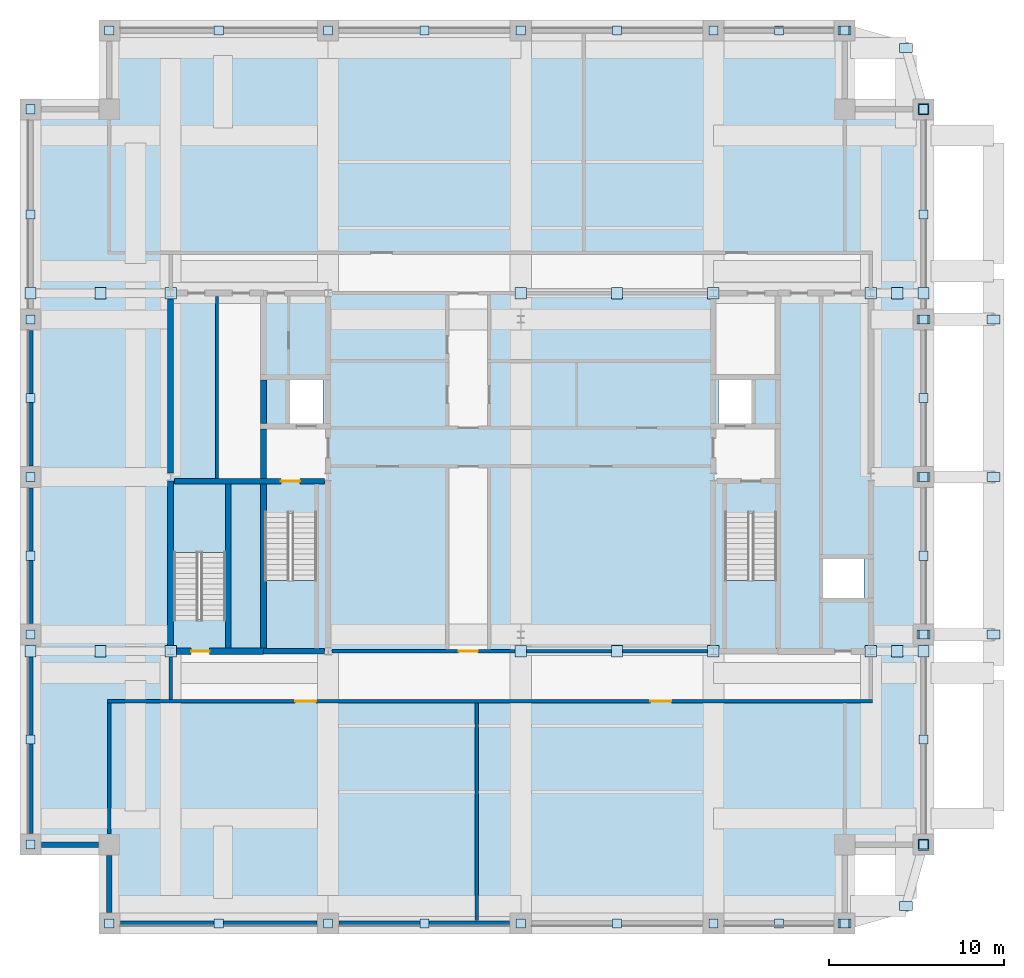
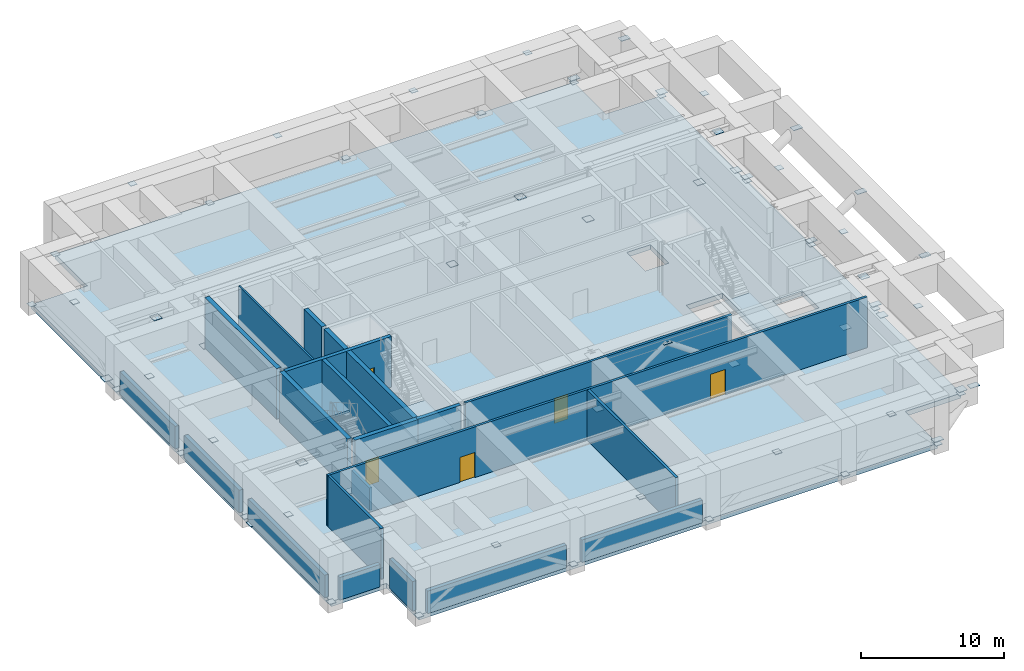
# One storey, part 3 of 10: 66 plates, 22 walls, 5 doors, 4 slabs, 5 openings, 3 elements without a shape of their own.
"""IFC4 building model written with IfcOpenShell, lengths in metres."""

from ifc_helpers import new_model, si_unit, direction, frame, frame_2d, origin, origin_2d, place, context, subcontext, project, spatial, polyline, rectangle, outline, extrude, material, layer, layer_set, type_object, element, fill, aggregate, save


model = new_model("IFC4")

# Units and contexts
model_context = context("Model", 3, precision=1e-05, world=origin(), true_north=direction((0.0, 1.0)))
body_context = subcontext(model_context, "Body", "Model", "MODEL_VIEW")
ifc_project = project(units=[si_unit("LENGTHUNIT", "METRE"), si_unit("AREAUNIT", "SQUARE_METRE"), si_unit("VOLUMEUNIT", "CUBIC_METRE"), si_unit("PLANEANGLEUNIT", "RADIAN"), si_unit("MASSUNIT", "GRAM", prefix="KILO")], contexts=[model_context])

# Site, building, storey
site_placement = place(None, origin())
site = spatial("IfcSite", under=ifc_project, at=site_placement, CompositionType="ELEMENT")
building_placement = place(site_placement, origin())
building = spatial("IfcBuilding", under=site, at=building_placement, Name="Zulmaris Gate Convention Tower", CompositionType="ELEMENT")
storey_placement = place(building_placement, frame((0.0, 0.0, 153.47998046875)))
storey = spatial("IfcBuildingStorey", under=building, at=storey_placement, Name="L39", CompositionType="ELEMENT", Elevation=153.47998046875)

# Plates
ifc_material_1 = material(Name="Steel S460", Category="steel")
ifc_layer_1 = layer(ifc_material_1, 0.030029296875, Name="Steel S460")
ifc_layer_set_1 = layer_set([ifc_layer_1], Name="Steel S460")
plate_type_1 = type_object("IfcPlateType", Name="NP-CAP-520", PredefinedType="USERDEFINED", material=ifc_layer_set_1)
for number, where, z_axis, x_axis, name in (
    (1, (-23.5, -25.5, -0.01513671875), (0.0, 0.0, 1.0), (1.0, 0.0, 0.0), "L39 Steel Node Plate BELT-L39-01-1-FP"),
    (2, (-17.25, -25.5, 3.81982421875), (0.0, 0.0, 1.0), (1.0, 0.0, 0.0), "L39 Steel Node Plate BELT-L39-01-1-FPB"),
    (3, (-11.0, -25.5, -0.01513671875), (0.0, 0.0, 1.0), (1.0, 0.0, 0.0), "L39 Steel Node Plate BELT-L39-01-2-FPB"),
    (4, (-5.5, -25.5, 3.81982421875), (0.0, 0.0, 1.0), (1.0, 0.0, 0.0), "L39 Steel Node Plate BELT-L39-02-1-FPB"),
    (5, (0.0, -25.5, -0.01513671875), (0.0, 0.0, 1.0), (1.0, 0.0, 0.0), "L39 Steel Node Plate BELT-L39-02-2-FPB"),
    (6, (5.5, -25.5, 3.81982421875), (0.0, 0.0, 1.0), (1.0, 0.0, 0.0), "L39 Steel Node Plate BELT-L39-03-1-FPB"),
    (7, (11.0, -25.5, -0.01513671875), (0.0, 0.0, 1.0), (1.0, 0.0, 0.0), "L39 Steel Node Plate BELT-L39-03-2-FPB"),
    (8, (14.75, -25.5, 3.81982421875), (0.0, 0.0, 1.0), (1.0, 0.0, 0.0), "L39 Steel Node Plate BELT-L39-04-1-FPB"),
    (9, (18.5, -25.5, -0.01513671875), (0.0, 0.0, 1.0), (1.0, 0.0, 0.0), "L39 Steel Node Plate BELT-L39-04-2-FPB"),
    (10, (-23.5, 25.5, -0.01513671875), (0.0, 0.0, 1.0), (1.0, 0.0, 0.0), "L39 Steel Node Plate BELT-L39-05-1-FP"),
    (11, (-17.25, 25.5, 3.81982421875), (0.0, 0.0, 1.0), (1.0, 0.0, 0.0), "L39 Steel Node Plate BELT-L39-05-1-FPB"),
    (12, (-11.0, 25.5, -0.01513671875), (0.0, 0.0, 1.0), (1.0, 0.0, 0.0), "L39 Steel Node Plate BELT-L39-05-2-FPB"),
    (13, (-5.5, 25.5, 3.81982421875), (0.0, 0.0, 1.0), (1.0, 0.0, 0.0), "L39 Steel Node Plate BELT-L39-06-1-FPB"),
    (14, (0.0, 25.5, -0.01513671875), (0.0, 0.0, 1.0), (1.0, 0.0, 0.0), "L39 Steel Node Plate BELT-L39-06-2-FPB"),
    (15, (5.5, 25.5, 3.81982421875), (0.0, 0.0, 1.0), (1.0, 0.0, 0.0), "L39 Steel Node Plate BELT-L39-07-1-FPB"),
    (16, (11.0, 25.5, -0.01513671875), (0.0, 0.0, 1.0), (1.0, 0.0, 0.0), "L39 Steel Node Plate BELT-L39-07-2-FPB"),
    (17, (14.75, 25.5, 3.81982421875), (0.0, 0.0, 1.0), (1.0, 0.0, 0.0), "L39 Steel Node Plate BELT-L39-08-1-FPB"),
    (18, (18.5, 25.5, -0.01513671875), (0.0, 0.0, 1.0), (1.0, 0.0, 0.0), "L39 Steel Node Plate BELT-L39-08-2-FPB"),
    (19, (-28.0, -21.0, -0.01513671875), (0.0, 0.0, 1.0), (1.0, 0.0, 0.0), "L39 Steel Node Plate BELT-L39-09-1-FP"),
    (20, (-28.0, -15.0, 3.81982421875), (0.0, 0.0, 1.0), (1.0, 0.0, 0.0), "L39 Steel Node Plate BELT-L39-09-1-FPB"),
    (21, (-28.0, -9.0, -0.01513671875), (0.0, 0.0, 1.0), (1.0, 0.0, 0.0), "L39 Steel Node Plate BELT-L39-09-2-FPB"),
    (22, (-28.0, -4.5, 3.81982421875), (0.0, 0.0, 1.0), (1.0, 0.0, 0.0), "L39 Steel Node Plate BELT-L39-10-1-FPB"),
    (23, (-28.0, 0.0, -0.01513671875), (0.0, 0.0, 1.0), (1.0, 0.0, 0.0), "L39 Steel Node Plate BELT-L39-10-2-FPB"),
    (24, (-28.0, 4.5, 3.81982421875), (0.0, 0.0, 1.0), (1.0, 0.0, 0.0), "L39 Steel Node Plate BELT-L39-11-1-FPB"),
    (25, (-28.0, 9.0, -0.01513671875), (0.0, 0.0, 1.0), (1.0, 0.0, 0.0), "L39 Steel Node Plate BELT-L39-11-2-FPB"),
    (26, (-28.0, 15.0, 3.81982421875), (0.0, 0.0, 1.0), (1.0, 0.0, 0.0), "L39 Steel Node Plate BELT-L39-12-1-FPB"),
    (27, (-28.0, 21.0, -0.01513671875), (0.0, 0.0, 1.0), (1.0, 0.0, 0.0), "L39 Steel Node Plate BELT-L39-12-2-FPB"),
    (28, (23.0, -21.0, -0.01513671875), (0.0, 0.0, 1.0), (1.0, 0.0, 0.0), "L39 Steel Node Plate BELT-L39-13-1-FP"),
    (29, (23.0, -15.0, 3.81982421875), (0.0, 0.0, 1.0), (1.0, 0.0, 0.0), "L39 Steel Node Plate BELT-L39-13-1-FPB"),
    (30, (23.0, -9.0, -0.01513671875), (0.0, 0.0, 1.0), (1.0, 0.0, 0.0), "L39 Steel Node Plate BELT-L39-13-2-FPB"),
    (31, (23.0, -4.5, 3.81982421875), (0.0, 0.0, 1.0), (1.0, 0.0, 0.0), "L39 Steel Node Plate BELT-L39-14-1-FPB"),
    (32, (23.0, 0.0, -0.01513671875), (0.0, 0.0, 1.0), (1.0, 0.0, 0.0), "L39 Steel Node Plate BELT-L39-14-2-FPB"),
    (33, (23.0, 4.5, 3.81982421875), (0.0, 0.0, 1.0), (1.0, 0.0, 0.0), "L39 Steel Node Plate BELT-L39-15-1-FPB"),
    (34, (23.0, 9.0, -0.01513671875), (0.0, 0.0, 1.0), (1.0, 0.0, 0.0), "L39 Steel Node Plate BELT-L39-15-2-FPB"),
    (35, (23.0, 15.0, 3.81982421875), (0.0, 0.0, 1.0), (1.0, 0.0, 0.0), "L39 Steel Node Plate BELT-L39-16-1-FPB"),
    (36, (23.0, 21.0, -0.01513671875), (0.0, 0.0, 1.0), (1.0, 0.0, 0.0), "L39 Steel Node Plate BELT-L39-16-2-FPB"),
):
    element("IfcPlate", number, at=place(storey_placement, frame(where, z_axis=z_axis, x_axis=x_axis)), inside=storey, type_object=plate_type_1, Name=name, ObjectType="FLANGE PLATE", PredefinedType="USERDEFINED", context=body_context, shape_type="SweptSolid", body=[
        extrude(rectangle(XDim=0.52001953125, YDim=0.52001953125, at=origin_2d()), origin(), (0.0, 0.0, 1.0), 0.030029296875),
    ])
ifc_layer_2 = layer(ifc_material_1, 0.034912109375, Name="Steel S460")
ifc_layer_set_2 = layer_set([ifc_layer_2], Name="Steel S460")
plate_type_2 = type_object("IfcPlateType", Name="NP-GUS-650", PredefinedType="USERDEFINED", material=ifc_layer_set_2)
for number, where, z_axis, x_axis, name in (
    (37, (23.0, -21.0, 0.33251953125), (0.0, 0.0, 1.0), (1.0, 0.0, 0.0), "L39 Steel Node Plate RKR2-L39-EC--24.5-P0"),
    (38, (23.0, 21.0, 0.33251953125), (0.0, 0.0, 1.0), (1.0, 0.0, 0.0), "L39 Steel Node Plate RKR2-L39-EC-+24.5-P0"),
    (39, (-28.0, -9.949951171875, -0.017578125), (0.0, 0.0, 1.0), (1.0, 0.0, 0.0), "L39 Steel Node Plate OT-L39-DG--9.9--28-A-GP0"),
    (40, (-24.0, -9.949951171875, 3.8173828125), (0.0, 0.0, 1.0), (1.0, 0.0, 0.0), "L39 Steel Node Plate OT-L39-DG--9.9--28-A-GP1"),
    (41, (-20.0, -9.949951171875, -0.017578125), (0.0, 0.0, 1.0), (1.0, 0.0, 0.0), "L39 Steel Node Plate OT-L39-DG--9.9--28-B-GP1"),
    (42, (20.0, -9.949951171875, -0.017578125), (0.0, 0.0, 1.0), (1.0, 0.0, 0.0), "L39 Steel Node Plate OT-L39-DG--9.9-+20-A-GP0"),
    (43, (21.5, -9.949951171875, 3.8173828125), (0.0, 0.0, 1.0), (1.0, 0.0, 0.0), "L39 Steel Node Plate OT-L39-DG--9.9-+20-A-GP1"),
    (44, (23.0, -9.949951171875, -0.017578125), (0.0, 0.0, 1.0), (1.0, 0.0, 0.0), "L39 Steel Node Plate OT-L39-DG--9.9-+20-B-GP1"),
    (45, (0.0, -9.949951171875, -0.017578125), (0.0, 0.0, 1.0), (1.0, 0.0, 0.0), "L39 Steel Node Plate OT-L39-DG--9.9-+0-A-GP0"),
    (46, (5.5, -9.949951171875, 3.8173828125), (0.0, 0.0, 1.0), (1.0, 0.0, 0.0), "L39 Steel Node Plate OT-L39-DG--9.9-+0-A-GP1"),
    (47, (11.0, -9.949951171875, -0.017578125), (0.0, 0.0, 1.0), (1.0, 0.0, 0.0), "L39 Steel Node Plate OT-L39-DG--9.9-+0-B-GP1"),
    (48, (-28.0, 10.5, -0.017578125), (0.0, 0.0, 1.0), (1.0, 0.0, 0.0), "L39 Steel Node Plate OT-L39-DG-+10.5--28-A-GP0"),
    (49, (-24.0, 10.5, 3.8173828125), (0.0, 0.0, 1.0), (1.0, 0.0, 0.0), "L39 Steel Node Plate OT-L39-DG-+10.5--28-A-GP1"),
    (50, (-20.0, 10.5, -0.017578125), (0.0, 0.0, 1.0), (1.0, 0.0, 0.0), "L39 Steel Node Plate OT-L39-DG-+10.5--28-B-GP1"),
    (51, (20.0, 10.5, -0.017578125), (0.0, 0.0, 1.0), (1.0, 0.0, 0.0), "L39 Steel Node Plate OT-L39-DG-+10.5-+20-A-GP0"),
    (52, (21.5, 10.5, 3.8173828125), (0.0, 0.0, 1.0), (1.0, 0.0, 0.0), "L39 Steel Node Plate OT-L39-DG-+10.5-+20-A-GP1"),
    (53, (23.0, 10.5, -0.017578125), (0.0, 0.0, 1.0), (1.0, 0.0, 0.0), "L39 Steel Node Plate OT-L39-DG-+10.5-+20-B-GP1"),
    (54, (0.0, 10.5, -0.017578125), (0.0, 0.0, 1.0), (1.0, 0.0, 0.0), "L39 Steel Node Plate OT-L39-DG-+10.5-+0-A-GP0"),
    (55, (5.5, 10.5, 3.8173828125), (0.0, 0.0, 1.0), (1.0, 0.0, 0.0), "L39 Steel Node Plate OT-L39-DG-+10.5-+0-A-GP1"),
    (56, (11.0, 10.5, -0.017578125), (0.0, 0.0, 1.0), (1.0, 0.0, 0.0), "L39 Steel Node Plate OT-L39-DG-+10.5-+0-B-GP1"),
):
    element("IfcPlate", number, at=place(storey_placement, frame(where, z_axis=z_axis, x_axis=x_axis)), inside=storey, type_object=plate_type_2, Name=name, ObjectType="GUSSET PLATE", PredefinedType="USERDEFINED", context=body_context, shape_type="SweptSolid", body=[
        extrude(rectangle(XDim=0.64990234375, YDim=0.64990234375, at=origin_2d()), origin(), (0.0, 0.0, 1.0), 0.034912109375),
    ])
ifc_layer_3 = layer(ifc_material_1, 0.034912109375, Name="Steel S460")
ifc_layer_set_3 = layer_set([ifc_layer_3], Name="Steel S460")
plate_type_3 = type_object("IfcPlateType", Name="NP-GUS-750", PredefinedType="USERDEFINED", material=ifc_layer_set_3)
for number, where, z_axis, x_axis, name in (
    (57, (23.0, -9.0, 0.33251953125), (0.0, 0.0, 1.0), (1.0, 0.0, 0.0), "L39 Steel Node Plate RKR-L39-E--9.0-P0"),
    (58, (27.0, -9.0, 3.1171875), (0.0, 0.0, 1.0), (1.0, 0.0, 0.0), "L39 Steel Node Plate RKR-L39-E--9.0-P1"),
    (59, (23.0, 0.0, 0.33251953125), (0.0, 0.0, 1.0), (1.0, 0.0, 0.0), "L39 Steel Node Plate RKR-L39-E-+0.0-P0"),
    (60, (27.0, 0.0, 3.1171875), (0.0, 0.0, 1.0), (1.0, 0.0, 0.0), "L39 Steel Node Plate RKR-L39-E-+0.0-P1"),
    (61, (23.0, 9.0, 0.33251953125), (0.0, 0.0, 1.0), (1.0, 0.0, 0.0), "L39 Steel Node Plate RKR-L39-E-+9.0-P0"),
    (62, (27.0, 9.0, 3.1171875), (0.0, 0.0, 1.0), (1.0, 0.0, 0.0), "L39 Steel Node Plate RKR-L39-E-+9.0-P1"),
    (63, (18.5, -25.5, 0.33251953125), (0.0, 0.0, 1.0), (1.0, 0.0, 0.0), "L39 Steel Node Plate RKR-L39-EC--24.5-P0"),
    (64, (22.0, -24.5, 3.1171875), (0.0, 0.0, 1.0), (1.0, 0.0, 0.0), "L39 Steel Node Plate RKR-L39-EC--24.5-P1"),
    (65, (18.5, 25.5, 0.33251953125), (0.0, 0.0, 1.0), (1.0, 0.0, 0.0), "L39 Steel Node Plate RKR-L39-EC-+24.5-P0"),
    (66, (22.0, 24.5, 3.1171875), (0.0, 0.0, 1.0), (1.0, 0.0, 0.0), "L39 Steel Node Plate RKR-L39-EC-+24.5-P1"),
):
    element("IfcPlate", number, at=place(storey_placement, frame(where, z_axis=z_axis, x_axis=x_axis)), inside=storey, type_object=plate_type_3, Name=name, ObjectType="GUSSET PLATE", PredefinedType="USERDEFINED", context=body_context, shape_type="SweptSolid", body=[
        extrude(rectangle(XDim=0.75, YDim=0.5, at=origin_2d()), origin(), (0.0, 0.0, 1.0), 0.034912109375),
    ])

# Slab
ifc_material_2 = material(Name="Concrete C60/75", Category="concrete")
ifc_layer_4 = layer(ifc_material_2, 0.425048828125, Name="Concrete C60/75")
ifc_layer_set_4 = layer_set([ifc_layer_4], Name="Concrete C60/75")
slab_type_1 = type_object("IfcSlabType", Name="SL-FLR-425", PredefinedType="FLOOR", material=ifc_layer_set_4)
slab_1_placement = place(storey_placement, frame((0.0, 0.0, -0.425048828125)))
element("IfcSlab", 67, at=slab_1_placement, inside=storey, type_object=slab_type_1, Name="L39 Shifted Notched-Square Structural Floor Slab", PredefinedType="FLOOR", context=body_context, shape_type="SweptSolid", body=[
    extrude(outline(polyline([(-23.5, -25.5), (18.5, -25.5), (18.5, -21.0), (23.0, -21.0), (23.0, 21.0), (18.5, 21.0), (18.5, 25.5), (-23.5, 25.5), (-23.5, 21.0), (-28.0, 21.0), (-28.0, -21.0), (-23.5, -21.0), (-23.5, -25.5)]), holes=[polyline([(-14.6201171875, -2.080078125), (-14.6201171875, -9.85009765625), (-11.659912109375, -9.85009765625), (-11.659912109375, -2.080078125), (-14.6201171875, -2.080078125)]), polyline([(11.659912109375, -2.080078125), (11.659912109375, -9.85009765625), (14.6201171875, -9.85009765625), (14.6201171875, -2.080078125), (11.659912109375, -2.080078125)]), polyline([(-16.860107421875, -8.1201171875), (-16.860107421875, -0.35009765625), (-19.820068359375, -0.35009765625), (-19.820068359375, -8.1201171875), (-16.860107421875, -8.1201171875)]), polyline([(-13.199951171875, 3.0), (-11.300048828125, 3.0), (-11.300048828125, 5.60009765625), (-13.199951171875, 5.60009765625), (-13.199951171875, 3.0)]), polyline([(11.300048828125, 3.0), (13.199951171875, 3.0), (13.199951171875, 5.60009765625), (11.300048828125, 5.60009765625), (11.300048828125, 3.0)]), polyline([(17.199951171875, -7.0), (19.60009765625, -7.0), (19.60009765625, -4.60009765625), (17.199951171875, -4.60009765625), (17.199951171875, -7.0)])]), origin(), (0.0, 0.0, 1.0), 0.425048828125),
])

# Stair, slab
ifc_material_3 = material(Name="Concrete C45/55", Category="concrete")
stair_type = type_object("IfcStairType", Name="ST-CORE-DOGLEG", PredefinedType="HALF_TURN_STAIR", material=ifc_material_3)
stair_1_placement = place(storey_placement, origin())
stair_1 = element("IfcStair", 68, at=stair_1_placement, inside=storey, type_object=stair_type, Name="L39 Core Exit Stair ST-1", PredefinedType="HALF_TURN_STAIR")
ifc_layer_5 = layer(ifc_material_3, 0.199951171875, Name="Concrete C45/55")
ifc_layer_set_5 = layer_set([ifc_layer_5], Name="Concrete C45/55")
slab_type_2 = type_object("IfcSlabType", Name="SL-LND-200", PredefinedType="LANDING", material=ifc_layer_set_5)
slab_2_placement = place(storey_placement, frame((0.0, 0.0, 2.179931640625)))
slab_2 = element("IfcSlab", 69, at=slab_2_placement, type_object=slab_type_2, Name="ST-1 landing 1", PredefinedType="LANDING", context=body_context, shape_type="SweptSolid", body=[
    extrude(outline(polyline([(-14.6201171875, -5.89990234375), (-14.6201171875, -9.85009765625), (-11.659912109375, -9.85009765625), (-11.659912109375, -5.89990234375), (-14.6201171875, -5.89990234375)])), origin(), (0.0, 0.0, 1.0), 0.199951171875),
])
aggregate(stair_1, [slab_2])

stair_2_placement = place(storey_placement, origin())
stair_2 = element("IfcStair", 70, at=stair_2_placement, inside=storey, type_object=stair_type, Name="L39 Core Exit Stair ST-2", PredefinedType="HALF_TURN_STAIR")
slab_3_placement = place(storey_placement, frame((0.0, 0.0, 2.179931640625)))
slab_3 = element("IfcSlab", 71, at=slab_3_placement, type_object=slab_type_2, Name="ST-2 landing 1", PredefinedType="LANDING", context=body_context, shape_type="SweptSolid", body=[
    extrude(outline(polyline([(11.659912109375, -5.89990234375), (11.659912109375, -9.85009765625), (14.6201171875, -9.85009765625), (14.6201171875, -5.89990234375), (11.659912109375, -5.89990234375)])), origin(), (0.0, 0.0, 1.0), 0.199951171875),
])
aggregate(stair_2, [slab_3])

stair_3_placement = place(storey_placement, origin())
stair_3 = element("IfcStair", 72, at=stair_3_placement, inside=storey, type_object=stair_type, Name="L39 Core Exit Stair ST-3", PredefinedType="HALF_TURN_STAIR")
slab_4_placement = place(storey_placement, frame((0.0, 0.0, 2.179931640625)))
slab_4 = element("IfcSlab", 73, at=slab_4_placement, type_object=slab_type_2, Name="ST-3 landing 1", PredefinedType="LANDING", context=body_context, shape_type="SweptSolid", body=[
    extrude(outline(polyline([(-16.860107421875, -4.300048828125), (-16.860107421875, -0.35009765625), (-19.820068359375, -0.35009765625), (-19.820068359375, -4.300048828125), (-16.860107421875, -4.300048828125)])), origin(), (0.0, 0.0, 1.0), 0.199951171875),
])
aggregate(stair_3, [slab_4])

# Wall
ifc_material_4 = material(Name="Concrete C50/60", Category="concrete")
ifc_layer_6 = layer(ifc_material_4, 0.300048828125, Name="Concrete C50/60")
ifc_layer_set_6 = layer_set([ifc_layer_6], Name="Concrete C50/60")
wall_type_1 = type_object("IfcWallType", Name="CORE-300", PredefinedType="SHEAR", material=ifc_layer_set_6)
wall_1_placement = place(storey_placement, frame((-14.699951171875, -9.949951171875, 0.0), z_axis=(0.0, 0.0, 1.0), x_axis=(1.0, 0.0, 0.0)))
element("IfcWall", 74, at=wall_1_placement, inside=storey, type_object=wall_type_1, Name="WL-L39-002", PredefinedType="SHEAR", context=body_context, shape_type="SweptSolid", body=[
    extrude(rectangle(XDim=3.489990234375, YDim=0.300048828125, at=frame_2d((1.7451171875, 0.0))), origin(), (0.0, 0.0, 1.0), 4.334716796875),
])

# Wall, opening, door
wall_2_placement = place(storey_placement, frame((-19.7900390625, -0.25, 0.0), z_axis=(0.0, 0.0, 1.0), x_axis=(1.0, 0.0, 0.0)))
wall_2 = element("IfcWall", 75, at=wall_2_placement, inside=storey, type_object=wall_type_1, Name="WL-L39-007", PredefinedType="SHEAR", context=body_context, shape_type="SweptSolid", body=[
    extrude(rectangle(XDim=8.580078125, YDim=0.300048828125, at=frame_2d((4.2900390625, 0.0))), origin(), (0.0, 0.0, 1.0), 4.334716796875),
])
opening_1_placement = place(wall_2_placement, frame((6.090087890625, 0.0, 0.0)))
opening_1 = element("IfcOpeningElement", 76, at=opening_1_placement, cuts=wall_2, Name="Opening D-08", PredefinedType="OPENING", context=body_context, shape_type="SweptSolid", body=[
    extrude(rectangle(XDim=1.10009765625, YDim=2.14990234375, at=frame_2d((0.550048828125, 1.074951171875))), frame((0.0, 0.16015625, 0.0), z_axis=(0.0, -1.0, 0.0), x_axis=(1.0, 0.0, 0.0)), (0.0, 0.0, 1.0), 0.320068359375),
])
ifc_material_5 = material(Name="Fire-Rated Steel", Category="steel")
door_type_1 = type_object("IfcDoorType", Name="DR-1100-FD", OperationType="NOTDEFINED", PredefinedType="DOOR", material=ifc_material_5)
door_1_placement = place(opening_1_placement, origin())
door_1 = element("IfcDoor", 77, at=door_1_placement, inside=storey, type_object=door_type_1, Name="L39 Exit Stair ST-1 Door 01", OperationType="SINGLE_SWING_LEFT", OverallHeight=2.14990234375, OverallWidth=1.10009765625, PredefinedType="DOOR", context=body_context, shape_type="SweptSolid", body=[
    extrude(rectangle(XDim=1.10009765625, YDim=2.14990234375, at=frame_2d((0.550048828125, 1.074951171875))), frame((0.0, 0.02490234375, 0.0), z_axis=(0.0, -1.0, 0.0), x_axis=(1.0, 0.0, 0.0)), (0.0, 0.0, 1.0), 0.050048828125),
])
fill(opening_1, door_1)

# Wall
wall_3_placement = place(storey_placement, frame((-16.699951171875, -9.77294921875, 0.0), z_axis=(0.0, 0.0, 1.0), x_axis=(0.0, 1.0, 0.0)))
element("IfcWall", 78, at=wall_3_placement, inside=storey, type_object=wall_type_1, Name="WL-L39-027", PredefinedType="SHEAR", context=body_context, shape_type="SweptSolid", body=[
    extrude(rectangle(XDim=9.370849609375, YDim=0.300048828125, at=frame_2d((4.685546875, 0.0))), origin(), (0.0, 0.0, 1.0), 4.334716796875),
])

# Wall, opening, door
ifc_material_6 = material(Name="Concrete C55/67", Category="concrete")
ifc_layer_7 = layer(ifc_material_6, 0.35009765625, Name="Concrete C55/67")
ifc_layer_set_7 = layer_set([ifc_layer_7], Name="Concrete C55/67")
wall_type_2 = type_object("IfcWallType", Name="CORE-350", PredefinedType="SHEAR", material=ifc_layer_set_7)
wall_4_placement = place(storey_placement, frame((-19.7900390625, -9.949951171875, 0.0), z_axis=(0.0, 0.0, 1.0), x_axis=(1.0, 0.0, 0.0)))
wall_4 = element("IfcWall", 79, at=wall_4_placement, inside=storey, type_object=wall_type_2, Name="WL-L39-001", PredefinedType="SHEAR", context=body_context, shape_type="SweptSolid", body=[
    extrude(rectangle(XDim=5.090087890625, YDim=0.35009765625, at=frame_2d((2.544921875, 0.0))), origin(), (0.0, 0.0, 1.0), 4.334716796875),
])
opening_2_placement = place(wall_4_placement, frame((0.965087890625, 0.0, 0.0)))
opening_2 = element("IfcOpeningElement", 80, at=opening_2_placement, cuts=wall_4, Name="Opening D-09", PredefinedType="OPENING", context=body_context, shape_type="SweptSolid", body=[
    extrude(rectangle(XDim=1.050048828125, YDim=2.14990234375, at=frame_2d((0.52490234375, 1.074951171875))), frame((0.0, 0.18505859375, 0.0), z_axis=(0.0, -1.0, 0.0), x_axis=(1.0, 0.0, 0.0)), (0.0, 0.0, 1.0), 0.3701171875),
])
door_type_2 = type_object("IfcDoorType", Name="DR-1050-FD", OperationType="NOTDEFINED", PredefinedType="DOOR", material=ifc_material_5)
door_2_placement = place(opening_2_placement, origin())
door_2 = element("IfcDoor", 81, at=door_2_placement, inside=storey, type_object=door_type_2, Name="L39 Exit Stair ST-3 Door 10", OperationType="SINGLE_SWING_RIGHT", OverallHeight=2.14990234375, OverallWidth=1.050048828125, PredefinedType="DOOR", context=body_context, shape_type="SweptSolid", body=[
    extrude(rectangle(XDim=1.050048828125, YDim=2.14990234375, at=frame_2d((0.52490234375, 1.074951171875))), frame((0.0, 0.02490234375, 0.0), z_axis=(0.0, -1.0, 0.0), x_axis=(1.0, 0.0, 0.0)), (0.0, 0.0, 1.0), 0.050048828125),
])
fill(opening_2, door_2)

# Walls
wall_5_placement = place(storey_placement, frame((-20.0, -9.728515625, 0.0), z_axis=(0.0, 0.0, 1.0), x_axis=(0.0, 1.0, 0.0)))
element("IfcWall", 82, at=wall_5_placement, inside=storey, type_object=wall_type_2, Name="WL-L39-025", PredefinedType="SHEAR", context=body_context, shape_type="SweptSolid", body=[
    extrude(rectangle(XDim=9.507080078125, YDim=0.35009765625, at=frame_2d((4.75341796875, 0.0))), origin(), (0.0, 0.0, 1.0), 4.334716796875),
])
wall_6_placement = place(storey_placement, frame((-20.0, 0.221435546875, 0.0), z_axis=(0.0, 0.0, 1.0), x_axis=(0.0, 1.0, 0.0)))
element("IfcWall", 83, at=wall_6_placement, inside=storey, type_object=wall_type_2, Name="WL-L39-026", PredefinedType="SHEAR", context=body_context, shape_type="SweptSolid", body=[
    extrude(rectangle(XDim=10.05712890625, YDim=0.35009765625, at=frame_2d((5.028564453125, 0.0))), origin(), (0.0, 0.0, 1.0), 4.334716796875),
])
wall_7_placement = place(storey_placement, frame((-14.699951171875, -9.77294921875, 0.0), z_axis=(0.0, 0.0, 1.0), x_axis=(0.0, 1.0, 0.0)))
element("IfcWall", 84, at=wall_7_placement, inside=storey, type_object=wall_type_2, Name="WL-L39-028", PredefinedType="SHEAR", context=body_context, shape_type="SweptSolid", body=[
    extrude(rectangle(XDim=9.370849609375, YDim=0.35009765625, at=frame_2d((4.685546875, 0.0))), origin(), (0.0, 0.0, 1.0), 4.334716796875),
])
wall_8_placement = place(storey_placement, frame((-14.699951171875, -0.097900390625, 0.0), z_axis=(0.0, 0.0, 1.0), x_axis=(0.0, 1.0, 0.0)))
element("IfcWall", 85, at=wall_8_placement, inside=storey, type_object=wall_type_2, Name="WL-L39-029", PredefinedType="SHEAR", context=body_context, shape_type="SweptSolid", body=[
    extrude(rectangle(XDim=2.845947265625, YDim=0.35009765625, at=frame_2d((1.4228515625, 0.0))), origin(), (0.0, 0.0, 1.0), 4.334716796875),
])
wall_9_placement = place(storey_placement, frame((-14.699951171875, 3.052001953125, 0.0), z_axis=(0.0, 0.0, 1.0), x_axis=(0.0, 1.0, 0.0)))
element("IfcWall", 86, at=wall_9_placement, inside=storey, type_object=wall_type_2, Name="WL-L39-030", PredefinedType="SHEAR", context=body_context, shape_type="SweptSolid", body=[
    extrude(rectangle(XDim=2.49609375, YDim=0.35009765625, at=frame_2d((1.248046875, 0.0))), origin(), (0.0, 0.0, 1.0), 4.334716796875),
])
ifc_material_7 = material(Name="Gypsum Metal Stud Partition")
ifc_layer_8 = layer(ifc_material_7, 0.14990234375, Name="Gypsum Metal Stud Partition")
ifc_layer_set_8 = layer_set([ifc_layer_8], Name="Gypsum Metal Stud Partition")
wall_type_3 = type_object("IfcWallType", Name="PART-150", PredefinedType="PARTITIONING", material=ifc_layer_set_8)
wall_10_placement = place(storey_placement, frame((-17.35009765625, -0.096923828125, 0.0), z_axis=(0.0, 0.0, 1.0), x_axis=(0.0, 1.0, 0.0)))
element("IfcWall", 87, at=wall_10_placement, inside=storey, type_object=wall_type_3, Name="WL-L39-058", PredefinedType="PARTITIONING", context=body_context, shape_type="SweptSolid", body=[
    extrude(rectangle(XDim=10.4189453125, YDim=0.14990234375, at=frame_2d((5.20947265625, 0.0))), origin(), (0.0, 0.0, 1.0), 4.334716796875),
])

# Wall, openings, doors
ifc_material_8 = material(Name="Autoclaved Aerated Concrete Block and Plasterboard", Category="concrete")
ifc_layer_9 = layer(ifc_material_8, 0.199951171875, Name="Autoclaved Aerated Concrete Block and Plasterboard")
ifc_layer_set_9 = layer_set([ifc_layer_9], Name="Autoclaved Aerated Concrete Block and Plasterboard")
wall_type_4 = type_object("IfcWallType", Name="PART-200", PredefinedType="PARTITIONING", material=ifc_layer_set_9)
wall_11_placement = place(storey_placement, frame((-23.60009765625, -12.800048828125, 0.0), z_axis=(0.0, 0.0, 1.0), x_axis=(1.0, 0.0, 0.0)))
wall_11 = element("IfcWall", 88, at=wall_11_placement, inside=storey, type_object=wall_type_4, Name="WL-L39-017", PredefinedType="PARTITIONING", context=body_context, shape_type="SweptSolid", body=[
    extrude(rectangle(XDim=43.7001953125, YDim=0.199951171875, at=frame_2d((21.85009765625, 0.0))), origin(), (0.0, 0.0, 1.0), 4.334716796875),
])
opening_3_placement = place(wall_11_placement, frame((10.719970703125, 0.0, 0.0)))
opening_3 = element("IfcOpeningElement", 89, at=opening_3_placement, cuts=wall_11, Name="Opening D-13", PredefinedType="OPENING", context=body_context, shape_type="SweptSolid", body=[
    extrude(rectangle(XDim=1.199951171875, YDim=2.14990234375, at=frame_2d((0.60009765625, 1.074951171875))), frame((0.0, 0.10986328125, 0.0), z_axis=(0.0, -1.0, 0.0), x_axis=(1.0, 0.0, 0.0)), (0.0, 0.0, 1.0), 0.219970703125),
])
opening_4_placement = place(wall_11_placement, frame((31.0, 0.0, 0.0)))
opening_4 = element("IfcOpeningElement", 90, at=opening_4_placement, cuts=wall_11, Name="Opening D-13", PredefinedType="OPENING", context=body_context, shape_type="SweptSolid", body=[
    extrude(rectangle(XDim=1.199951171875, YDim=2.14990234375, at=frame_2d((0.60009765625, 1.074951171875))), frame((0.0, 0.10986328125, 0.0), z_axis=(0.0, -1.0, 0.0), x_axis=(1.0, 0.0, 0.0)), (0.0, 0.0, 1.0), 0.219970703125),
])
door_type_3 = type_object("IfcDoorType", Name="DR-1200-FD", OperationType="NOTDEFINED", PredefinedType="DOOR", material=ifc_material_5)
door_3_placement = place(opening_3_placement, origin())
door_3 = element("IfcDoor", 91, at=door_3_placement, inside=storey, type_object=door_type_3, Name="L39 Break Tank Plant Door 24", OperationType="SINGLE_SWING_RIGHT", OverallHeight=2.14990234375, OverallWidth=1.199951171875, PredefinedType="DOOR", context=body_context, shape_type="SweptSolid", body=[
    extrude(rectangle(XDim=1.199951171875, YDim=2.14990234375, at=frame_2d((0.60009765625, 1.074951171875))), frame((0.0, 0.02490234375, 0.0), z_axis=(0.0, -1.0, 0.0), x_axis=(1.0, 0.0, 0.0)), (0.0, 0.0, 1.0), 0.050048828125),
])
fill(opening_3, door_3)
door_4_placement = place(opening_4_placement, origin())
door_4 = element("IfcDoor", 92, at=door_4_placement, inside=storey, type_object=door_type_3, Name="L39 Booster Pump Plant Door 25", OperationType="SINGLE_SWING_LEFT", OverallHeight=2.14990234375, OverallWidth=1.199951171875, PredefinedType="DOOR", context=body_context, shape_type="SweptSolid", body=[
    extrude(rectangle(XDim=1.199951171875, YDim=2.14990234375, at=frame_2d((0.60009765625, 1.074951171875))), frame((0.0, 0.02490234375, 0.0), z_axis=(0.0, -1.0, 0.0), x_axis=(1.0, 0.0, 0.0)), (0.0, 0.0, 1.0), 0.050048828125),
])
fill(opening_4, door_4)

# Wall, opening, door
wall_12_placement = place(storey_placement, frame((-10.7880859375, -9.949951171875, 0.0), z_axis=(0.0, 0.0, 1.0), x_axis=(1.0, 0.0, 0.0)))
wall_12 = element("IfcWall", 93, at=wall_12_placement, inside=storey, type_object=wall_type_4, Name="WL-L39-018", PredefinedType="PARTITIONING", context=body_context, shape_type="SweptSolid", body=[
    extrude(rectangle(XDim=21.576171875, YDim=0.199951171875, at=frame_2d((10.7880859375, 0.0))), origin(), (0.0, 0.0, 1.0), 4.334716796875),
])
opening_5_placement = place(wall_12_placement, frame((7.238037109375, 0.0, 0.0)))
opening_5 = element("IfcOpeningElement", 94, at=opening_5_placement, cuts=wall_12, Name="Opening D-08", PredefinedType="OPENING", context=body_context, shape_type="SweptSolid", body=[
    extrude(rectangle(XDim=1.10009765625, YDim=2.14990234375, at=frame_2d((0.550048828125, 1.074951171875))), frame((0.0, 0.10986328125, 0.0), z_axis=(0.0, -1.0, 0.0), x_axis=(1.0, 0.0, 0.0)), (0.0, 0.0, 1.0), 0.219970703125),
])
door_5_placement = place(opening_5_placement, origin())
door_5 = element("IfcDoor", 95, at=door_5_placement, inside=storey, type_object=door_type_1, Name="L39 South Cross Corridor Link Door 19", OperationType="SINGLE_SWING_LEFT", OverallHeight=2.14990234375, OverallWidth=1.10009765625, PredefinedType="DOOR", context=body_context, shape_type="SweptSolid", body=[
    extrude(rectangle(XDim=1.10009765625, YDim=2.14990234375, at=frame_2d((0.550048828125, 1.074951171875))), frame((0.0, 0.02490234375, 0.0), z_axis=(0.0, -1.0, 0.0), x_axis=(1.0, 0.0, 0.0)), (0.0, 0.0, 1.0), 0.050048828125),
])
fill(opening_5, door_5)

# Walls
wall_13_placement = place(storey_placement, frame((-23.5, -20.39404296875, 0.0), z_axis=(0.0, 0.0, 1.0), x_axis=(0.0, 1.0, 0.0)))
element("IfcWall", 96, at=wall_13_placement, inside=storey, type_object=wall_type_4, Name="WL-L39-054", PredefinedType="PARTITIONING", context=body_context, shape_type="SweptSolid", body=[
    extrude(rectangle(XDim=7.490966796875, YDim=0.199951171875, at=frame_2d((3.74560546875, 0.0))), origin(), (0.0, 0.0, 1.0), 4.334716796875),
])
wall_14_placement = place(storey_placement, frame((-20.0, -12.697021484375, 0.0), z_axis=(0.0, 0.0, 1.0), x_axis=(0.0, 1.0, 0.0)))
element("IfcWall", 97, at=wall_14_placement, inside=storey, type_object=wall_type_4, Name="WL-L39-056", PredefinedType="PARTITIONING", context=body_context, shape_type="SweptSolid", body=[
    extrude(rectangle(XDim=2.5234375, YDim=0.199951171875, at=frame_2d((1.26171875, 0.0))), origin(), (0.0, 0.0, 1.0), 1.9267578125),
])
wall_15_placement = place(storey_placement, frame((-2.5, -25.3349609375, 0.0), z_axis=(0.0, 0.0, 1.0), x_axis=(0.0, 1.0, 0.0)))
element("IfcWall", 98, at=wall_15_placement, inside=storey, type_object=wall_type_4, Name="WL-L39-063", PredefinedType="PARTITIONING", context=body_context, shape_type="SweptSolid", body=[
    extrude(rectangle(XDim=12.431884765625, YDim=0.199951171875, at=frame_2d((6.2158203125, 0.0))), origin(), (0.0, 0.0, 1.0), 4.334716796875),
])
ifc_material_9 = material(Name="Precast concrete C40/50", Category="concrete")
ifc_layer_10 = layer(ifc_material_9, 0.300048828125, Name="Precast concrete C40/50")
ifc_layer_set_10 = layer_set([ifc_layer_10], Name="Precast concrete C40/50")
wall_type_5 = type_object("IfcWallType", Name="PRECAST-PIER-300", PredefinedType="STANDARD", material=ifc_layer_set_10)
wall_16_placement = place(storey_placement, frame((-27.3701171875, -21.0, 0.0), z_axis=(0.0, 0.0, 1.0), x_axis=(1.0, 0.0, 0.0)))
element("IfcWall", 99, at=wall_16_placement, inside=storey, type_object=wall_type_5, Name="EW-L39-NOTCH-SW1_0", PredefinedType="STANDARD", context=body_context, shape_type="SweptSolid", body=[
    extrude(rectangle(XDim=3.240234375, YDim=0.300048828125, at=frame_2d((1.6201171875, 0.0))), origin(), (0.0, 0.0, 1.0), 1.9267578125),
])
wall_17_placement = place(storey_placement, frame((-23.5, -21.6298828125, 0.0), z_axis=(0.0, 0.0, 1.0), x_axis=(0.0, -1.0, 0.0)))
element("IfcWall", 100, at=wall_17_placement, inside=storey, type_object=wall_type_5, Name="EW-L39-NOTCH-SW2_0", PredefinedType="STANDARD", context=body_context, shape_type="SweptSolid", body=[
    extrude(rectangle(XDim=3.240234375, YDim=0.300048828125, at=frame_2d((1.6201171875, 0.0))), origin(), (0.0, 0.0, 1.0), 2.526611328125),
])
wall_18_placement = place(storey_placement, frame((-22.8701171875, -25.5, 0.0), z_axis=(0.0, 0.0, 1.0), x_axis=(1.0, 0.0, 0.0)))
element("IfcWall", 101, at=wall_18_placement, inside=storey, type_object=wall_type_5, Name="EW-L39-S-0_0", PredefinedType="STANDARD", context=body_context, shape_type="SweptSolid", body=[
    extrude(rectangle(XDim=11.240234375, YDim=0.300048828125, at=frame_2d((5.6201171875, 0.0))), origin(), (0.0, 0.0, 1.0), 1.9267578125),
])
wall_19_placement = place(storey_placement, frame((-10.3701171875, -25.5, 0.0), z_axis=(0.0, 0.0, 1.0), x_axis=(1.0, 0.0, 0.0)))
element("IfcWall", 102, at=wall_19_placement, inside=storey, type_object=wall_type_5, Name="EW-L39-S-1_0", PredefinedType="STANDARD", context=body_context, shape_type="SweptSolid", body=[
    extrude(rectangle(XDim=9.740234375, YDim=0.300048828125, at=frame_2d((4.8701171875, 0.0))), origin(), (0.0, 0.0, 1.0), 1.9267578125),
])
wall_20_placement = place(storey_placement, frame((-28.0, -9.6298828125, 0.0), z_axis=(0.0, 0.0, 1.0), x_axis=(0.0, -1.0, 0.0)))
element("IfcWall", 103, at=wall_20_placement, inside=storey, type_object=wall_type_5, Name="EW-L39-W-0_0", PredefinedType="STANDARD", context=body_context, shape_type="SweptSolid", body=[
    extrude(rectangle(XDim=10.740234375, YDim=0.300048828125, at=frame_2d((5.3701171875, 0.0))), origin(), (0.0, 0.0, 1.0), 1.9267578125),
])
for number, where, z_axis, x_axis, name in (
    (104, (-28.0, -0.6298828125, 0.0), (0.0, 0.0, 1.0), (0.0, -1.0, 0.0), "EW-L39-W-1_0"),
    (105, (-28.0, 8.3701171875, 0.0), (0.0, 0.0, 1.0), (0.0, -1.0, 0.0), "EW-L39-W-2_0"),
):
    element("IfcWall", number, at=place(storey_placement, frame(where, z_axis=z_axis, x_axis=x_axis)), inside=storey, type_object=wall_type_5, Name=name, PredefinedType="STANDARD", context=body_context, shape_type="SweptSolid", body=[
        extrude(rectangle(XDim=7.740234375, YDim=0.300048828125, at=frame_2d((3.8701171875, 0.0))), origin(), (0.0, 0.0, 1.0), 1.9267578125),
    ])

save(model, "model.ifc")
